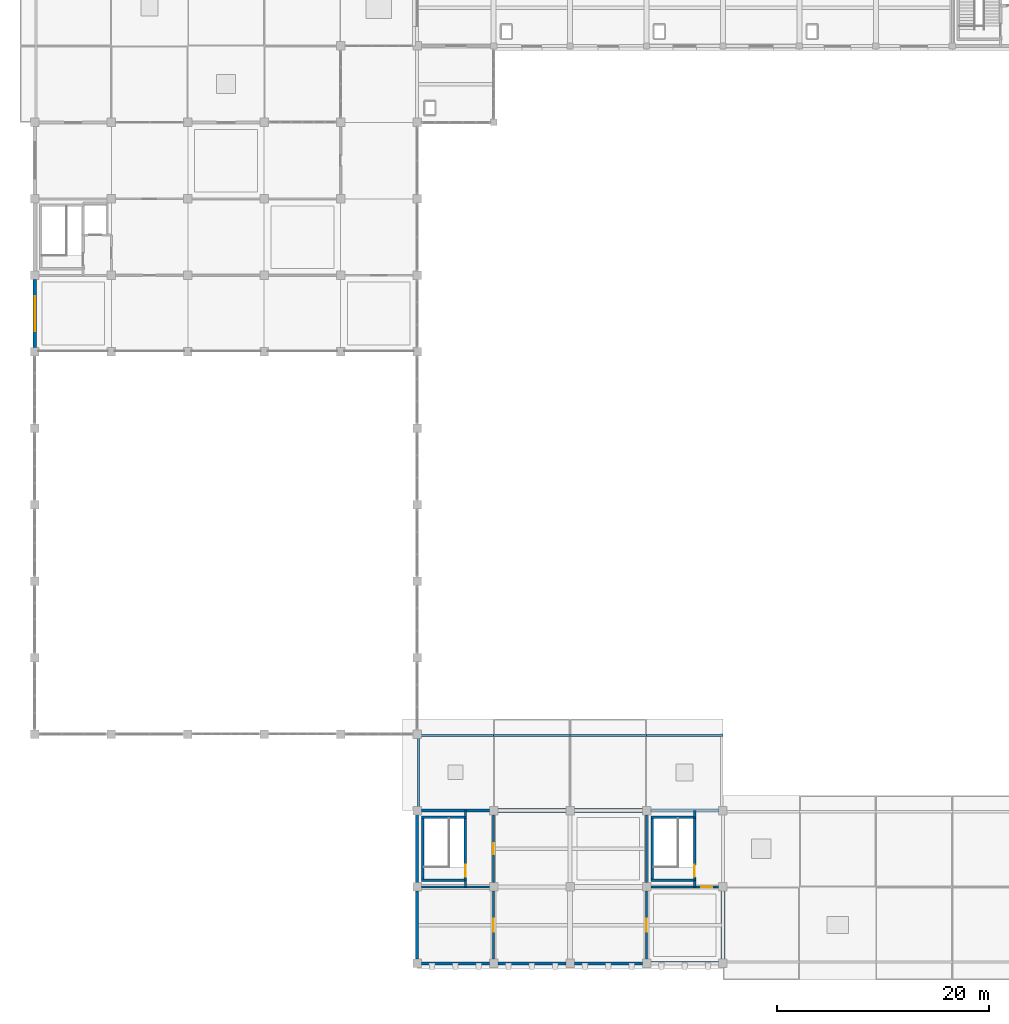
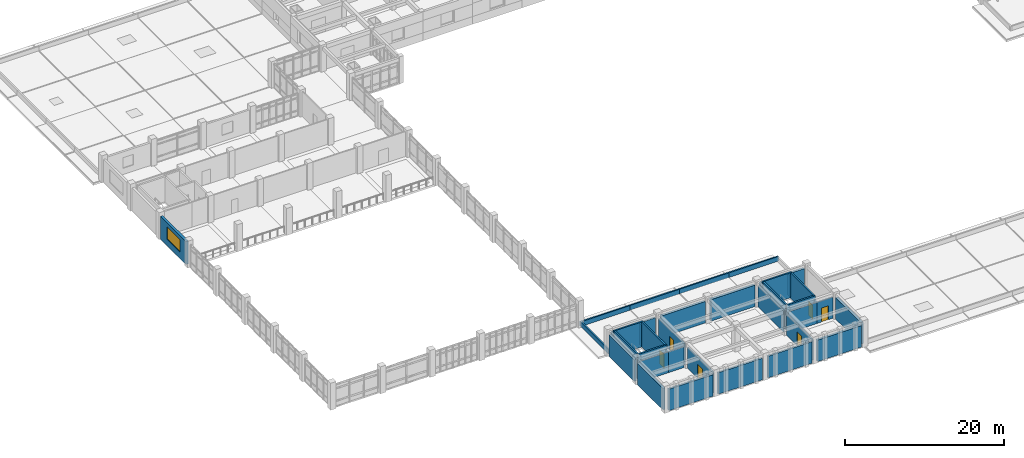
# One storey, part 49 of 62: 37 walls, 6 doors, 1 window, 7 openings.
"""IFC4 building model written with IfcOpenShell, lengths in metres."""

from ifc_helpers import new_model, si_unit, direction, frame, frame_2d, origin, place, context, subcontext, project, spatial, rectangle, extrude, material, layer, layer_set, type_object, element, fill, save


model = new_model("IFC4")

# Units and contexts
model_context = context("Model", 3, precision=1e-05, world=origin(), true_north=direction((0.0, 1.0)))
body_context = subcontext(model_context, "Body", "Model", "MODEL_VIEW")
ifc_project = project(units=[si_unit("LENGTHUNIT", "METRE"), si_unit("AREAUNIT", "SQUARE_METRE"), si_unit("VOLUMEUNIT", "CUBIC_METRE"), si_unit("PLANEANGLEUNIT", "RADIAN"), si_unit("MASSUNIT", "GRAM", prefix="KILO")], contexts=[model_context])

# Site, building, storey
site_placement = place(None, origin())
site = spatial("IfcSite", under=ifc_project, at=site_placement, CompositionType="ELEMENT")
building_placement = place(site_placement, origin())
building = spatial("IfcBuilding", under=site, at=building_placement, Name="Kavelor Marine Aquarium", CompositionType="ELEMENT")
storey_placement = place(building_placement, frame((0.0, 0.0, 13.5)))
storey = spatial("IfcBuildingStorey", under=building, at=storey_placement, Name="L03", CompositionType="ELEMENT", Elevation=13.5)

# Walls
ifc_material_1 = material(Name="Concrete C45/55", Category="concrete")
ifc_layer_1 = layer(ifc_material_1, 0.360107421875)
ifc_layer_set_1 = layer_set([ifc_layer_1], Name="WL-EX1")
wall_type_1 = type_object("IfcWallType", Name="WL-EX1", PredefinedType="STANDARD", material=ifc_layer_set_1)
for number, where, z_axis, x_axis, name in (
    (1, (53.9951171875, 17.199951171875, 0.0), (0.0, 0.0, 1.0), (1.0, 0.0, 0.0), "ew:x:L03:07_02"),
    (2, (68.0, 9.60498046875, 0.0), (0.0, 0.0, 1.0), (0.0, -1.0, 0.0), "ew:y:L03:09_00"),
):
    element("IfcWall", number, at=place(storey_placement, frame(where, z_axis=z_axis, x_axis=x_axis)), inside=storey, type_object=wall_type_1, Name=name, PredefinedType="STANDARD", context=body_context, shape_type="SweptSolid", body=[
        extrude(rectangle(XDim=6.409912109375, YDim=0.360107421875, at=frame_2d((3.205078125, 0.0))), origin(), (0.0, 0.0, 1.0), 3.300048828125),
    ])
ifc_material_2 = material(Name="Concrete C45/55", Category="concrete")
ifc_layer_2 = layer(ifc_material_2, 0.320068359375)
ifc_layer_set_2 = layer_set([ifc_layer_2], Name="WL-EX2")
wall_type_2 = type_object("IfcWallType", Name="WL-EX2", PredefinedType="STANDARD", material=ifc_layer_set_2)
wall_1_placement = place(storey_placement, frame((61.195068359375, 17.199951171875, 0.0), z_axis=(0.0, 0.0, 1.0), x_axis=(1.0, 0.0, 0.0)))
element("IfcWall", 3, at=wall_1_placement, inside=storey, type_object=wall_type_2, Name="ew:x:L03:08_02", PredefinedType="STANDARD", context=body_context, shape_type="SweptSolid", body=[
    extrude(rectangle(XDim=6.409912109375, YDim=0.320068359375, at=frame_2d((3.205078125, 0.0))), origin(), (0.0, 0.0, 1.0), 3.300048828125),
])
ifc_material_3 = material(Name="Concrete C40/50", Category="concrete")
ifc_layer_3 = layer(ifc_material_3, 0.300048828125)
ifc_layer_set_3 = layer_set([ifc_layer_3], Name="WL-EX3")
wall_type_3 = type_object("IfcWallType", Name="WL-EX3", PredefinedType="STANDARD", material=ifc_layer_set_3)
for number, where, z_axis, x_axis, name in (
    (4, (46.0048828125, 2.800048828125, 0.0), (0.0, 0.0, 1.0), (-1.0, 0.0, 0.0), "ew:x:L03:05_00"),
    (5, (39.199951171875, 3.195068359375, 0.0), (0.0, 0.0, 1.0), (0.0, 1.0, 0.0), "ew:y:L03:05_00"),
):
    element("IfcWall", number, at=place(storey_placement, frame(where, z_axis=z_axis, x_axis=x_axis)), inside=storey, type_object=wall_type_3, Name=name, PredefinedType="STANDARD", context=body_context, shape_type="SweptSolid", body=[
        extrude(rectangle(XDim=6.409912109375, YDim=0.300048828125, at=frame_2d((3.205078125, 0.0))), origin(), (0.0, 0.0, 1.0), 3.300048828125),
    ])
ifc_material_4 = material(Name="Concrete C40/50", Category="concrete")
ifc_layer_4 = layer(ifc_material_4, 0.280029296875)
ifc_layer_set_4 = layer_set([ifc_layer_4], Name="WL-EX4")
wall_type_4 = type_object("IfcWallType", Name="WL-EX4", PredefinedType="STANDARD", material=ifc_layer_set_4)
wall_2_placement = place(storey_placement, frame((53.205078125, 2.800048828125, 0.0), z_axis=(0.0, 0.0, 1.0), x_axis=(-1.0, 0.0, 0.0)))
element("IfcWall", 6, at=wall_2_placement, inside=storey, type_object=wall_type_4, Name="ew:x:L03:06_00", PredefinedType="STANDARD", context=body_context, shape_type="SweptSolid", body=[
    extrude(rectangle(XDim=6.41015625, YDim=0.280029296875, at=frame_2d((3.205078125, 0.0))), origin(), (0.0, 0.0, 1.0), 3.300048828125),
])
wall_3_placement = place(storey_placement, frame((39.199951171875, 10.39501953125, 0.0), z_axis=(0.0, 0.0, 1.0), x_axis=(0.0, 1.0, 0.0)))
element("IfcWall", 7, at=wall_3_placement, inside=storey, type_object=wall_type_4, Name="ew:y:L03:05_01", PredefinedType="STANDARD", context=body_context, shape_type="SweptSolid", body=[
    extrude(rectangle(XDim=6.409912109375, YDim=0.280029296875, at=frame_2d((3.205078125, 0.0))), origin(), (0.0, 0.0, 1.0), 3.300048828125),
])
ifc_material_5 = material(Name="Concrete C40/50", Category="concrete")
ifc_layer_5 = layer(ifc_material_5, 0.260009765625)
ifc_layer_set_5 = layer_set([ifc_layer_5], Name="WL-EX5")
wall_type_5 = type_object("IfcWallType", Name="WL-EX5", PredefinedType="STANDARD", material=ifc_layer_set_5)
for number, where, z_axis, x_axis, name in (
    (8, (39.594970703125, 17.199951171875, 0.0), (0.0, 0.0, 1.0), (1.0, 0.0, 0.0), "ew:x:L03:05_02"),
    (9, (60.405029296875, 2.800048828125, 0.0), (0.0, 0.0, 1.0), (-1.0, 0.0, 0.0), "ew:x:L03:07_00"),
):
    element("IfcWall", number, at=place(storey_placement, frame(where, z_axis=z_axis, x_axis=x_axis)), inside=storey, type_object=wall_type_5, Name=name, PredefinedType="STANDARD", context=body_context, shape_type="SweptSolid", body=[
        extrude(rectangle(XDim=6.409912109375, YDim=0.260009765625, at=frame_2d((3.205078125, 0.0))), origin(), (0.0, 0.0, 1.0), 3.300048828125),
    ])
ifc_material_6 = material(Name="Concrete C45/55", Category="concrete")
ifc_layer_6 = layer(ifc_material_6, 0.340087890625)
ifc_layer_set_6 = layer_set([ifc_layer_6], Name="WL-EX6")
wall_type_6 = type_object("IfcWallType", Name="WL-EX6", PredefinedType="STANDARD", material=ifc_layer_set_6)
wall_4_placement = place(storey_placement, frame((46.794921875, 17.199951171875, 0.0), z_axis=(0.0, 0.0, 1.0), x_axis=(1.0, 0.0, 0.0)))
element("IfcWall", 10, at=wall_4_placement, inside=storey, type_object=wall_type_6, Name="ew:x:L03:06_02", PredefinedType="STANDARD", context=body_context, shape_type="SweptSolid", body=[
    extrude(rectangle(XDim=6.41015625, YDim=0.340087890625, at=frame_2d((3.205078125, 0.0))), origin(), (0.0, 0.0, 1.0), 3.300048828125),
])
wall_5_placement = place(storey_placement, frame((67.60498046875, 2.800048828125, 0.0), z_axis=(0.0, 0.0, 1.0), x_axis=(-1.0, 0.0, 0.0)))
element("IfcWall", 11, at=wall_5_placement, inside=storey, type_object=wall_type_6, Name="ew:x:L03:08_00", PredefinedType="STANDARD", context=body_context, shape_type="SweptSolid", body=[
    extrude(rectangle(XDim=6.409912109375, YDim=0.340087890625, at=frame_2d((3.205078125, 0.0))), origin(), (0.0, 0.0, 1.0), 3.300048828125),
])

# Wall, opening, window
wall_6_placement = place(storey_placement, frame((3.199951171875, 60.794921875, 0.0), z_axis=(0.0, 0.0, 1.0), x_axis=(0.0, 1.0, 0.0)))
wall_6 = element("IfcWall", 12, at=wall_6_placement, inside=storey, type_object=wall_type_6, Name="ew:y:L03:00_08", PredefinedType="STANDARD", context=body_context, shape_type="SweptSolid", body=[
    extrude(rectangle(XDim=6.41015625, YDim=0.340087890625, at=frame_2d((3.205078125, 0.0))), origin(), (0.0, 0.0, 1.0), 3.530029296875),
])
opening_1_placement = place(wall_6_placement, frame((1.554931640625, 0.0, 0.949951171875)))
opening_1 = element("IfcOpeningElement", 13, at=opening_1_placement, cuts=wall_6, Name="Opening W22", PredefinedType="OPENING", context=body_context, shape_type="SweptSolid", body=[
    extrude(rectangle(XDim=3.300048828125, YDim=1.949951171875, at=frame_2d((1.64990234375, 0.97509765625))), frame((0.0, 0.179931640625, 0.0), z_axis=(0.0, -1.0, 0.0), x_axis=(1.0, 0.0, 0.0)), (0.0, 0.0, 1.0), 0.360088),
])
ifc_material_7 = material(Name="Anodised Aluminium Frame with Low-E Double Glazing", Category="aluminium")
window_type = type_object("IfcWindowType", Name="WIN-W22", PartitioningType="DOUBLE_PANEL_VERTICAL", PredefinedType="WINDOW", material=ifc_material_7)
window_placement = place(opening_1_placement, origin())
window = element("IfcWindow", 14, at=window_placement, inside=storey, type_object=window_type, Name="win:y:L03:00_08", OverallHeight=1.949951171875, OverallWidth=3.300048828125, PartitioningType="SINGLE_PANEL", PredefinedType="WINDOW", context=body_context, shape_type="SweptSolid", body=[
    extrude(rectangle(XDim=3.300048828125, YDim=1.949951171875, at=frame_2d((1.64990234375, 0.97509765625))), frame((0.0, 0.030029296875, 0.0), z_axis=(0.0, -1.0, 0.0), x_axis=(1.0, 0.0, 0.0)), (0.0, 0.0, 1.0), 0.06005859375),
])
fill(opening_1, window)

# Walls
ifc_material_8 = material(Name="Concrete C40/50", Category="concrete")
ifc_layer_7 = layer(ifc_material_8, 0.199951171875)
ifc_layer_set_7 = layer_set([ifc_layer_7], Name="WL-PR3")
wall_type_7 = type_object("IfcWallType", Name="WL-PR3", PredefinedType="PARAPET", material=ifc_layer_set_7)
for number, where, z_axis, x_axis, name in (
    (15, (39.199951171875, 24.280029296875, 0.0), (0.0, 0.0, 1.0), (1.0, 0.0, 0.0), "par:n:L03:05_02"),
    (16, (39.320068359375, 17.199951171875, 0.0), (0.0, 0.0, 1.0), (0.0, 1.0, 0.0), "par:w:L03:05_02"),
):
    element("IfcWall", number, at=place(storey_placement, frame(where, z_axis=z_axis, x_axis=x_axis)), inside=storey, type_object=wall_type_7, Name=name, PredefinedType="PARAPET", context=body_context, shape_type="SweptSolid", body=[
        extrude(rectangle(XDim=7.199951171875, YDim=0.199951171875, at=frame_2d((3.60009765625, 0.0))), origin(), (0.0, 0.0, 1.0), 0.719970703125),
    ])
wall_7_placement = place(storey_placement, frame((46.39990234375, 24.280029296875, 0.0), z_axis=(0.0, 0.0, 1.0), x_axis=(1.0, 0.0, 0.0)))
element("IfcWall", 17, at=wall_7_placement, inside=storey, type_object=wall_type_7, Name="par:n:L03:06_02", PredefinedType="PARAPET", context=body_context, shape_type="SweptSolid", body=[
    extrude(rectangle(XDim=7.2001953125, YDim=0.199951171875, at=frame_2d((3.60009765625, 0.0))), origin(), (0.0, 0.0, 1.0), 0.719970703125),
])
for number, where, z_axis, x_axis, name in (
    (18, (53.60009765625, 24.280029296875, 0.0), (0.0, 0.0, 1.0), (1.0, 0.0, 0.0), "par:n:L03:07_02"),
    (19, (60.800048828125, 24.280029296875, 0.0), (0.0, 0.0, 1.0), (1.0, 0.0, 0.0), "par:n:L03:08_02"),
):
    element("IfcWall", number, at=place(storey_placement, frame(where, z_axis=z_axis, x_axis=x_axis)), inside=storey, type_object=wall_type_7, Name=name, PredefinedType="PARAPET", context=body_context, shape_type="SweptSolid", body=[
        extrude(rectangle(XDim=7.199951171875, YDim=0.199951171875, at=frame_2d((3.60009765625, 0.0))), origin(), (0.0, 0.0, 1.0), 0.719970703125),
    ])
ifc_material_9 = material(Name="Concrete Blockwork Partition", Category="masonry")
ifc_layer_8 = layer(ifc_material_9, 0.199951171875)
ifc_layer_set_8 = layer_set([ifc_layer_8], Name="WL-PT1")
wall_type_8 = type_object("IfcWallType", Name="WL-PT1", PredefinedType="PARTITIONING", material=ifc_layer_set_8)
wall_8_placement = place(storey_placement, frame((43.739990234375, 10.0, 0.0), z_axis=(0.0, 0.0, 1.0), x_axis=(0.0, 1.0, 0.0)))
element("IfcWall", 20, at=wall_8_placement, inside=storey, type_object=wall_type_8, Name="pt:st_close:s:C04:L03", PredefinedType="PARTITIONING", context=body_context, shape_type="SweptSolid", body=[
    extrude(rectangle(XDim=0.6201171875, YDim=0.199951171875, at=frame_2d((0.31005859375, 0.0))), origin(), (0.0, 0.0, 1.0), 3.199951171875),
])
wall_9_placement = place(storey_placement, frame((43.739990234375, 16.580078125, 0.0), z_axis=(0.0, 0.0, 1.0), x_axis=(0.0, 1.0, 0.0)))
element("IfcWall", 21, at=wall_9_placement, inside=storey, type_object=wall_type_8, Name="pt:st_close:n:C04:L03", PredefinedType="PARTITIONING", context=body_context, shape_type="SweptSolid", body=[
    extrude(rectangle(XDim=0.619873046875, YDim=0.199951171875, at=frame_2d((0.31005859375, 0.0))), origin(), (0.0, 0.0, 1.0), 3.300048828125),
])

# Wall, opening, door
wall_10_placement = place(storey_placement, frame((46.39990234375, 10.39990234375, 0.0), z_axis=(0.0, 0.0, 1.0), x_axis=(0.0, 1.0, 0.0)))
wall_10 = element("IfcWall", 22, at=wall_10_placement, inside=storey, type_object=wall_type_8, Name="pt:lob:C04:L03:e", PredefinedType="PARTITIONING", context=body_context, shape_type="SweptSolid", body=[
    extrude(rectangle(XDim=6.400146484375, YDim=0.199951171875, at=frame_2d((3.2001953125, 0.0))), origin(), (0.0, 0.0, 1.0), 3.25),
])
opening_2_placement = place(wall_10_placement, frame((2.68994140625, 0.0, 0.0)))
opening_2 = element("IfcOpeningElement", 23, at=opening_2_placement, cuts=wall_10, Name="Opening SD1", PredefinedType="OPENING", context=body_context, shape_type="SweptSolid", body=[
    extrude(rectangle(XDim=1.02001953125, YDim=2.14990234375, at=frame_2d((0.510009765625, 1.074951171875))), frame((0.0, 0.10986328125, 0.0), z_axis=(0.0, -1.0, 0.0), x_axis=(1.0, 0.0, 0.0)), (0.0, 0.0, 1.0), 0.219951),
])
ifc_material_10 = material(Name="Fire-Rated Corridor Compartment Door")
door_type_1 = type_object("IfcDoorType", Name="DR-SD1", OperationType="NOTDEFINED", PredefinedType="DOOR", material=ifc_material_10)
door_1_placement = place(opening_2_placement, origin())
door_1 = element("IfcDoor", 24, at=door_1_placement, inside=storey, type_object=door_type_1, Name="Core Lobby Fire Door C04-L03", OperationType="SINGLE_SWING_RIGHT", OverallHeight=2.14990234375, OverallWidth=1.02001953125, PredefinedType="DOOR", context=body_context, shape_type="SweptSolid", body=[
    extrude(rectangle(XDim=1.02001953125, YDim=2.14990234375, at=frame_2d((0.510009765625, 1.074951171875))), frame((0.0, 0.02490234375, 0.0), z_axis=(0.0, -1.0, 0.0), x_axis=(1.0, 0.0, 0.0)), (0.0, 0.0, 1.0), 0.050048828125),
])
fill(opening_2, door_1)

# Walls
wall_11_placement = place(storey_placement, frame((39.60009765625, 10.0, 0.0), z_axis=(0.0, 0.0, 1.0), x_axis=(1.0, 0.0, 0.0)))
element("IfcWall", 25, at=wall_11_placement, inside=storey, type_object=wall_type_8, Name="pt:lob:C04:L03:s_st", PredefinedType="PARTITIONING", context=body_context, shape_type="SweptSolid", body=[
    extrude(rectangle(XDim=4.139892578125, YDim=0.199951171875, at=frame_2d((2.06982421875, 0.0))), origin(), (0.0, 0.0, 1.0), 3.199951171875),
])
wall_12_placement = place(storey_placement, frame((43.739990234375, 10.0, 0.0), z_axis=(0.0, 0.0, 1.0), x_axis=(1.0, 0.0, 0.0)))
element("IfcWall", 26, at=wall_12_placement, inside=storey, type_object=wall_type_8, Name="pt:lob:C04:L03:s", PredefinedType="PARTITIONING", context=body_context, shape_type="SweptSolid", body=[
    extrude(rectangle(XDim=2.260009765625, YDim=0.199951171875, at=frame_2d((1.1298828125, 0.0))), origin(), (0.0, 0.0, 1.0), 3.199951171875),
])
wall_13_placement = place(storey_placement, frame((65.340087890625, 10.0, 0.0), z_axis=(0.0, 0.0, 1.0), x_axis=(0.0, 1.0, 0.0)))
element("IfcWall", 27, at=wall_13_placement, inside=storey, type_object=wall_type_8, Name="pt:st_close:s:C12:L03", PredefinedType="PARTITIONING", context=body_context, shape_type="SweptSolid", body=[
    extrude(rectangle(XDim=0.6201171875, YDim=0.199951171875, at=frame_2d((0.31005859375, 0.0))), origin(), (0.0, 0.0, 1.0), 3.25),
])
wall_14_placement = place(storey_placement, frame((65.340087890625, 16.580078125, 0.0), z_axis=(0.0, 0.0, 1.0), x_axis=(0.0, 1.0, 0.0)))
element("IfcWall", 28, at=wall_14_placement, inside=storey, type_object=wall_type_8, Name="pt:st_close:n:C12:L03", PredefinedType="PARTITIONING", context=body_context, shape_type="SweptSolid", body=[
    extrude(rectangle(XDim=0.619873046875, YDim=0.199951171875, at=frame_2d((0.31005859375, 0.0))), origin(), (0.0, 0.0, 1.0), 3.300048828125),
])
wall_15_placement = place(storey_placement, frame((60.800048828125, 10.39990234375, 0.0), z_axis=(0.0, 0.0, 1.0), x_axis=(0.0, 1.0, 0.0)))
element("IfcWall", 29, at=wall_15_placement, inside=storey, type_object=wall_type_8, Name="pt:lob:C12:L03:w", PredefinedType="PARTITIONING", context=body_context, shape_type="SweptSolid", body=[
    extrude(rectangle(XDim=6.400146484375, YDim=0.199951171875, at=frame_2d((3.2001953125, 0.0))), origin(), (0.0, 0.0, 1.0), 3.25),
])
wall_16_placement = place(storey_placement, frame((61.199951171875, 10.0, 0.0), z_axis=(0.0, 0.0, 1.0), x_axis=(1.0, 0.0, 0.0)))
element("IfcWall", 30, at=wall_16_placement, inside=storey, type_object=wall_type_8, Name="pt:lob:C12:L03:s_st", PredefinedType="PARTITIONING", context=body_context, shape_type="SweptSolid", body=[
    extrude(rectangle(XDim=4.14013671875, YDim=0.199951171875, at=frame_2d((2.070068359375, 0.0))), origin(), (0.0, 0.0, 1.0), 3.25),
])

# Wall, opening, door
wall_17_placement = place(storey_placement, frame((65.340087890625, 10.0, 0.0), z_axis=(0.0, 0.0, 1.0), x_axis=(1.0, 0.0, 0.0)))
wall_17 = element("IfcWall", 31, at=wall_17_placement, inside=storey, type_object=wall_type_8, Name="pt:lob:C12:L03:s", PredefinedType="PARTITIONING", context=body_context, shape_type="SweptSolid", body=[
    extrude(rectangle(XDim=2.260009765625, YDim=0.199951171875, at=frame_2d((1.1298828125, 0.0))), origin(), (0.0, 0.0, 1.0), 3.25),
])
opening_3_placement = place(wall_17_placement, frame((0.6201171875, 0.0, 0.0)))
opening_3 = element("IfcOpeningElement", 32, at=opening_3_placement, cuts=wall_17, Name="Opening SD1", PredefinedType="OPENING", context=body_context, shape_type="SweptSolid", body=[
    extrude(rectangle(XDim=1.02001953125, YDim=2.14990234375, at=frame_2d((0.510009765625, 1.074951171875))), frame((0.0, 0.10986328125, 0.0), z_axis=(0.0, -1.0, 0.0), x_axis=(1.0, 0.0, 0.0)), (0.0, 0.0, 1.0), 0.219951),
])
door_2_placement = place(opening_3_placement, origin())
door_2 = element("IfcDoor", 33, at=door_2_placement, inside=storey, type_object=door_type_1, Name="Core Lobby Fire Door C12-L03", OperationType="SINGLE_SWING_RIGHT", OverallHeight=2.14990234375, OverallWidth=1.02001953125, PredefinedType="DOOR", context=body_context, shape_type="SweptSolid", body=[
    extrude(rectangle(XDim=1.02001953125, YDim=2.14990234375, at=frame_2d((0.510009765625, 1.074951171875))), frame((0.0, 0.02490234375, 0.0), z_axis=(0.0, -1.0, 0.0), x_axis=(1.0, 0.0, 0.0)), (0.0, 0.0, 1.0), 0.050048828125),
])
fill(opening_3, door_2)

wall_18_placement = place(storey_placement, frame((46.39990234375, 3.199951171875, 0.0), z_axis=(0.0, 0.0, 1.0), x_axis=(0.0, 1.0, 0.0)))
wall_18 = element("IfcWall", 34, at=wall_18_placement, inside=storey, type_object=wall_type_8, Name="pt:y:L03:05_00", PredefinedType="PARTITIONING", context=body_context, shape_type="SweptSolid", body=[
    extrude(rectangle(XDim=6.400146484375, YDim=0.199951171875, at=frame_2d((3.2001953125, 0.0))), origin(), (0.0, 0.0, 1.0), 3.199951171875),
])
opening_4_placement = place(wall_18_placement, frame((2.590087890625, 0.0, 0.0)))
opening_4 = element("IfcOpeningElement", 35, at=opening_4_placement, cuts=wall_18, Name="Opening D06", PredefinedType="OPENING", context=body_context, shape_type="SweptSolid", body=[
    extrude(rectangle(XDim=1.219970703125, YDim=2.159912109375, at=frame_2d((0.60986328125, 1.080078125))), frame((0.0, 0.10986328125, 0.0), z_axis=(0.0, -1.0, 0.0), x_axis=(1.0, 0.0, 0.0)), (0.0, 0.0, 1.0), 0.219951),
])
ifc_material_11 = material(Name="Biosecure Quarantine Plant Room Door")
door_type_2 = type_object("IfcDoorType", Name="DR-D06", OperationType="NOTDEFINED", PredefinedType="DOOR", material=ifc_material_11)
door_3_placement = place(opening_4_placement, origin())
door_3 = element("IfcDoor", 36, at=door_3_placement, inside=storey, type_object=door_type_2, Name="dr:rm:pt:y:L03:05_00:0", OperationType="SINGLE_SWING_RIGHT", OverallHeight=2.159912109375, OverallWidth=1.219970703125, PredefinedType="DOOR", context=body_context, shape_type="SweptSolid", body=[
    extrude(rectangle(XDim=1.219970703125, YDim=2.159912109375, at=frame_2d((0.60986328125, 1.080078125))), frame((0.0, 0.02490234375, 0.0), z_axis=(0.0, -1.0, 0.0), x_axis=(1.0, 0.0, 0.0)), (0.0, 0.0, 1.0), 0.050048828125),
])
fill(opening_4, door_3)

wall_19_placement = place(storey_placement, frame((60.800048828125, 3.199951171875, 0.0), z_axis=(0.0, 0.0, 1.0), x_axis=(0.0, 1.0, 0.0)))
wall_19 = element("IfcWall", 37, at=wall_19_placement, inside=storey, type_object=wall_type_8, Name="pt:y:L03:07_00", PredefinedType="PARTITIONING", context=body_context, shape_type="SweptSolid", body=[
    extrude(rectangle(XDim=6.400146484375, YDim=0.199951171875, at=frame_2d((3.2001953125, 0.0))), origin(), (0.0, 0.0, 1.0), 3.199951171875),
])
opening_5_placement = place(wall_19_placement, frame((2.590087890625, 0.0, 0.0)))
opening_5 = element("IfcOpeningElement", 38, at=opening_5_placement, cuts=wall_19, Name="Opening D06", PredefinedType="OPENING", context=body_context, shape_type="SweptSolid", body=[
    extrude(rectangle(XDim=1.219970703125, YDim=2.159912109375, at=frame_2d((0.60986328125, 1.080078125))), frame((0.0, 0.10986328125, 0.0), z_axis=(0.0, -1.0, 0.0), x_axis=(1.0, 0.0, 0.0)), (0.0, 0.0, 1.0), 0.219951),
])
door_4_placement = place(opening_5_placement, origin())
door_4 = element("IfcDoor", 39, at=door_4_placement, inside=storey, type_object=door_type_2, Name="dr:rm:pt:y:L03:07_00:0", OperationType="SINGLE_SWING_LEFT", OverallHeight=2.159912109375, OverallWidth=1.219970703125, PredefinedType="DOOR", context=body_context, shape_type="SweptSolid", body=[
    extrude(rectangle(XDim=1.219970703125, YDim=2.159912109375, at=frame_2d((0.60986328125, 1.080078125))), frame((0.0, 0.02490234375, 0.0), z_axis=(0.0, -1.0, 0.0), x_axis=(1.0, 0.0, 0.0)), (0.0, 0.0, 1.0), 0.050048828125),
])
fill(opening_5, door_4)

# Walls
ifc_material_12 = material(Name="Concrete C40/50", Category="concrete")
ifc_layer_9 = layer(ifc_material_12, 0.35009765625)
ifc_layer_set_9 = layer_set([ifc_layer_9], Name="WL-SW2")
wall_type_9 = type_object("IfcWallType", Name="WL-SW2", PredefinedType="SHEAR", material=ifc_layer_set_9)
for number, where, z_axis, x_axis, name in (
    (40, (39.6201171875, 10.6201171875, 0.0), (0.0, 0.0, 1.0), (1.0, 0.0, 0.0), "cw_st:s:C04:L03"),
    (41, (39.6201171875, 16.580078125, 0.0), (0.0, 0.0, 1.0), (1.0, 0.0, 0.0), "cw_st:n:C04:L03"),
):
    element("IfcWall", number, at=place(storey_placement, frame(where, z_axis=z_axis, x_axis=x_axis)), inside=storey, type_object=wall_type_9, Name=name, PredefinedType="SHEAR", context=body_context, shape_type="SweptSolid", body=[
        extrude(rectangle(XDim=4.239990234375, YDim=0.239990234375, at=frame_2d((2.1201171875, 0.0))), origin(), (0.0, 0.0, 1.0), 3.860107421875),
    ])
wall_20_placement = place(storey_placement, frame((39.739990234375, 10.739990234375, 0.0), z_axis=(0.0, 0.0, 1.0), x_axis=(0.0, 1.0, 0.0)))
element("IfcWall", 42, at=wall_20_placement, inside=storey, type_object=wall_type_9, Name="cw_st:w:C04:L03", PredefinedType="SHEAR", context=body_context, shape_type="SweptSolid", body=[
    extrude(rectangle(XDim=5.719970703125, YDim=0.239990234375, at=frame_2d((2.85986328125, 0.0))), origin(), (0.0, 0.0, 1.0), 3.860107421875),
])

# Wall, opening, door
wall_21_placement = place(storey_placement, frame((43.739990234375, 10.739990234375, 0.0), z_axis=(0.0, 0.0, 1.0), x_axis=(0.0, 1.0, 0.0)))
wall_21 = element("IfcWall", 43, at=wall_21_placement, inside=storey, type_object=wall_type_9, Name="cw_st:e:C04:L03", PredefinedType="SHEAR", context=body_context, shape_type="SweptSolid", body=[
    extrude(rectangle(XDim=5.719970703125, YDim=0.239990234375, at=frame_2d((2.85986328125, 0.0))), origin(), (0.0, 0.0, 1.0), 3.860107421875),
])
opening_6_placement = place(wall_21_placement, frame((0.219970703125, 0.0, 0.0)))
opening_6 = element("IfcOpeningElement", 44, at=opening_6_placement, cuts=wall_21, Name="Opening FD1", PredefinedType="OPENING", context=body_context, shape_type="SweptSolid", body=[
    extrude(rectangle(XDim=1.1201171875, YDim=2.14990234375, at=frame_2d((0.56005859375, 1.074951171875))), frame((0.0, 0.1298828125, 0.0), z_axis=(0.0, -1.0, 0.0), x_axis=(1.0, 0.0, 0.0)), (0.0, 0.0, 1.0), 0.25999),
])
ifc_material_13 = material(Name="Fire-Rated Steel Stair and Core Door", Category="steel")
door_type_3 = type_object("IfcDoorType", Name="DR-FD1", OperationType="NOTDEFINED", PredefinedType="DOOR", material=ifc_material_13)
door_5_placement = place(opening_6_placement, origin())
door_5 = element("IfcDoor", 45, at=door_5_placement, inside=storey, type_object=door_type_3, Name="Stair Fire Door ST04-L03", OperationType="SINGLE_SWING_LEFT", OverallHeight=2.14990234375, OverallWidth=1.1201171875, PredefinedType="DOOR", context=body_context, shape_type="SweptSolid", body=[
    extrude(rectangle(XDim=1.1201171875, YDim=2.14990234375, at=frame_2d((0.56005859375, 1.074951171875))), frame((0.0, 0.02490234375, 0.0), z_axis=(0.0, -1.0, 0.0), x_axis=(1.0, 0.0, 0.0)), (0.0, 0.0, 1.0), 0.050048828125),
])
fill(opening_6, door_5)

# Walls
for number, where, z_axis, x_axis, name in (
    (46, (61.219970703125, 10.6201171875, 0.0), (0.0, 0.0, 1.0), (1.0, 0.0, 0.0), "cw_st:s:C12:L03"),
    (47, (61.219970703125, 16.580078125, 0.0), (0.0, 0.0, 1.0), (1.0, 0.0, 0.0), "cw_st:n:C12:L03"),
):
    element("IfcWall", number, at=place(storey_placement, frame(where, z_axis=z_axis, x_axis=x_axis)), inside=storey, type_object=wall_type_9, Name=name, PredefinedType="SHEAR", context=body_context, shape_type="SweptSolid", body=[
        extrude(rectangle(XDim=4.239990234375, YDim=0.239990234375, at=frame_2d((2.1201171875, 0.0))), origin(), (0.0, 0.0, 1.0), 3.860107421875),
    ])
wall_22_placement = place(storey_placement, frame((61.340087890625, 10.739990234375, 0.0), z_axis=(0.0, 0.0, 1.0), x_axis=(0.0, 1.0, 0.0)))
element("IfcWall", 48, at=wall_22_placement, inside=storey, type_object=wall_type_9, Name="cw_st:w:C12:L03", PredefinedType="SHEAR", context=body_context, shape_type="SweptSolid", body=[
    extrude(rectangle(XDim=5.719970703125, YDim=0.239990234375, at=frame_2d((2.85986328125, 0.0))), origin(), (0.0, 0.0, 1.0), 3.860107421875),
])

# Wall, opening, door
wall_23_placement = place(storey_placement, frame((65.340087890625, 10.739990234375, 0.0), z_axis=(0.0, 0.0, 1.0), x_axis=(0.0, 1.0, 0.0)))
wall_23 = element("IfcWall", 49, at=wall_23_placement, inside=storey, type_object=wall_type_9, Name="cw_st:e:C12:L03", PredefinedType="SHEAR", context=body_context, shape_type="SweptSolid", body=[
    extrude(rectangle(XDim=5.719970703125, YDim=0.239990234375, at=frame_2d((2.85986328125, 0.0))), origin(), (0.0, 0.0, 1.0), 3.860107421875),
])
opening_7_placement = place(wall_23_placement, frame((0.219970703125, 0.0, 0.0)))
opening_7 = element("IfcOpeningElement", 50, at=opening_7_placement, cuts=wall_23, Name="Opening FD1", PredefinedType="OPENING", context=body_context, shape_type="SweptSolid", body=[
    extrude(rectangle(XDim=1.1201171875, YDim=2.14990234375, at=frame_2d((0.56005859375, 1.074951171875))), frame((0.0, 0.1298828125, 0.0), z_axis=(0.0, -1.0, 0.0), x_axis=(1.0, 0.0, 0.0)), (0.0, 0.0, 1.0), 0.25999),
])
door_6_placement = place(opening_7_placement, origin())
door_6 = element("IfcDoor", 51, at=door_6_placement, inside=storey, type_object=door_type_3, Name="Stair Fire Door ST12-L03", OperationType="SINGLE_SWING_LEFT", OverallHeight=2.14990234375, OverallWidth=1.1201171875, PredefinedType="DOOR", context=body_context, shape_type="SweptSolid", body=[
    extrude(rectangle(XDim=1.1201171875, YDim=2.14990234375, at=frame_2d((0.56005859375, 1.074951171875))), frame((0.0, 0.02490234375, 0.0), z_axis=(0.0, -1.0, 0.0), x_axis=(1.0, 0.0, 0.0)), (0.0, 0.0, 1.0), 0.050048828125),
])
fill(opening_7, door_6)

save(model, "model.ifc")
